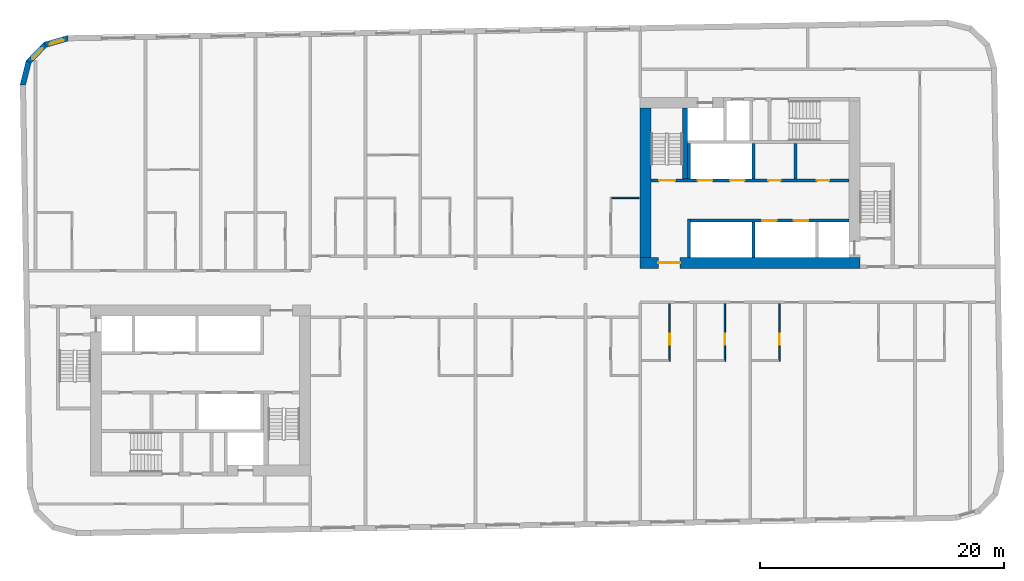
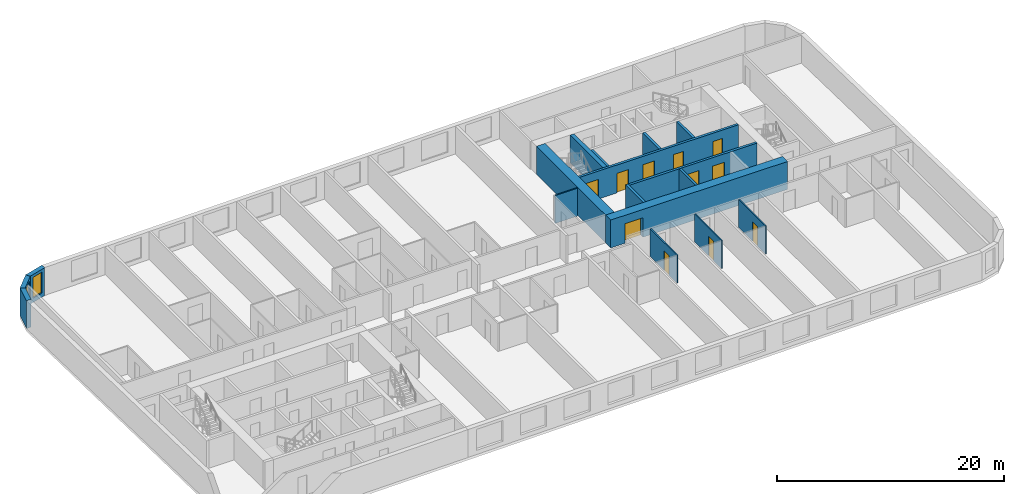
# One storey, part 5 of 11: 17 walls, 11 doors, 2 windows, 13 openings.
"""IFC4 building model written with IfcOpenShell, lengths in metres."""

from ifc_helpers import new_model, si_unit, direction, frame, frame_2d, origin, place, context, subcontext, project, spatial, polyline, rectangle, outline, extrude, material, layer, layer_set, type_object, element, fill, save


model = new_model("IFC4")

# Units and contexts
model_context = context("Model", 3, precision=1e-05, world=origin(), true_north=direction((0.0, 1.0)))
body_context = subcontext(model_context, "Body", "Model", "MODEL_VIEW")
ifc_project = project(units=[si_unit("LENGTHUNIT", "METRE"), si_unit("AREAUNIT", "SQUARE_METRE"), si_unit("VOLUMEUNIT", "CUBIC_METRE"), si_unit("PLANEANGLEUNIT", "RADIAN"), si_unit("MASSUNIT", "GRAM", prefix="KILO")], contexts=[model_context])

# Site, building, storey
site_placement = place(None, origin())
site = spatial("IfcSite", under=ifc_project, at=site_placement, CompositionType="ELEMENT")
building_placement = place(site_placement, origin())
building = spatial("IfcBuilding", under=site, at=building_placement, Name="Kajstack Hotel Tower", CompositionType="ELEMENT")
storey_placement = place(building_placement, frame((0.0, 0.0, 254.0)))
storey = spatial("IfcBuildingStorey", under=building, at=storey_placement, Name="L63", CompositionType="ELEMENT", Elevation=254.0)

# Wall, opening, door
ifc_material_1 = material(Name="Concrete C60/75", Category="concrete")
ifc_layer_1 = layer(ifc_material_1, 0.89990234375)
ifc_layer_set_1 = layer_set([ifc_layer_1], Name="Core wall 900")
wall_type_1 = type_object("IfcWallType", Name="Core wall 900", PredefinedType="SHEAR", material=ifc_layer_set_1)
wall_1_placement = place(storey_placement, frame((13.5, 1.949951171875, 0.0), z_axis=(0.0, 0.0, 1.0), x_axis=(1.0, 0.0, 0.0)))
wall_1 = element("IfcWall", 1, at=wall_1_placement, inside=storey, type_object=wall_type_1, Name="Core wall E RN", PredefinedType="SHEAR", context=body_context, shape_type="SweptSolid", body=[
    extrude(rectangle(XDim=18.0, YDim=0.89990234375, at=frame_2d((9.0, 0.0))), origin(), (0.0, 0.0, 1.0), 3.0),
])
opening_1_placement = place(wall_1_placement, frame((1.47509765625, 0.0, 0.0)))
opening_1 = element("IfcOpeningElement", 2, at=opening_1_placement, cuts=wall_1, Name="Opening 63E07", PredefinedType="OPENING", context=body_context, shape_type="SweptSolid", body=[
    extrude(rectangle(XDim=1.800048828125, YDim=2.10009765625, at=frame_2d((0.89990234375, 1.050048828125))), frame((0.0, 0.4599609375, 0.0), z_axis=(0.0, -1.0, 0.0), x_axis=(1.0, 0.0, 0.0)), (0.0, 0.0, 1.0), 0.919921875),
])
ifc_material_2 = material(Name="Glazed steel frame, fire-rated glass", Category="steel")
door_type_1 = type_object("IfcDoorType", Name="Lobby double door 1800", OperationType="DOUBLE_DOOR_DOUBLE_SWING", PredefinedType="DOOR", material=ifc_material_2)
door_1_placement = place(opening_1_placement, origin())
door_1 = element("IfcDoor", 3, at=door_1_placement, inside=storey, type_object=door_type_1, Name="Door 63E07", OperationType="DOUBLE_DOOR_DOUBLE_SWING", OverallHeight=2.10009765625, OverallWidth=1.800048828125, PredefinedType="DOOR", context=body_context, shape_type="SweptSolid", body=[
    extrude(rectangle(XDim=1.800048828125, YDim=2.10009765625, at=frame_2d((0.89990234375, 1.050048828125))), frame((0.0, 0.02490234375, 0.0), z_axis=(0.0, -1.0, 0.0), x_axis=(1.0, 0.0, 0.0)), (0.0, 0.0, 1.0), 0.050048828125),
])
fill(opening_1, door_1)

# Wall
wall_2_placement = place(storey_placement, frame((13.949951171875, 2.39990234375, 0.0), z_axis=(0.0, 0.0, 1.0), x_axis=(0.0, 1.0, 0.0)))
element("IfcWall", 4, at=wall_2_placement, inside=storey, type_object=wall_type_1, Name="Core wall E RE", PredefinedType="SHEAR", context=body_context, shape_type="SweptSolid", body=[
    extrude(rectangle(XDim=12.2001953125, YDim=0.89990234375, at=frame_2d((6.10009765625, 0.0))), origin(), (0.0, 0.0, 1.0), 3.0),
])

# Wall, opening, window
ifc_material_3 = material(Name="Terracotta-faced brick masonry", Category="masonry")
ifc_layer_2 = layer(ifc_material_3, 0.449951171875)
ifc_layer_set_2 = layer_set([ifc_layer_2], Name="EW-TERRA")
wall_type_2 = type_object("IfcWallType", Name="EW-TERRA", PredefinedType="SOLIDWALL", material=ifc_layer_set_2)
wall_3_placement = place(storey_placement, frame((-33.290283203125, 20.352294921875, 0.0), z_axis=(0.0, 0.0, 1.0), x_axis=(-0.961247584925, -0.275686562016, 0.0)))
wall_3 = element("IfcWall", 5, at=wall_3_placement, inside=storey, type_object=wall_type_2, Name="E-wall-L63-13-00", PredefinedType="SOLIDWALL", context=body_context, shape_type="SweptSolid", body=[
    extrude(outline(polyline([(0.0, -0.22509765625), (2.070556640625, -0.22509765625), (1.949951171875, 0.224853515625), (0.12060546875, 0.224853515625), (0.0, -0.22509765625)])), origin(), (0.0, 0.0, 1.0), 3.0),
])
opening_2_placement = place(wall_3_placement, frame((0.435302734375, 0.0, 0.449951171875)))
opening_2 = element("IfcOpeningElement", 6, at=opening_2_placement, cuts=wall_3, Name="Opening W3", PredefinedType="OPENING", context=body_context, shape_type="SweptSolid", body=[
    extrude(rectangle(XDim=1.199951171875, YDim=2.25, at=frame_2d((0.60009765625, 1.125))), frame((0.0, 0.23486328125, 0.0), z_axis=(0.0, -1.0, 0.0), x_axis=(1.0, 0.0, 0.0)), (0.0, 0.0, 1.0), 0.469970703125),
])
ifc_material_4 = material(Name="Timber-aluminium window, triple glazed", Category="wood")
window_type = type_object("IfcWindowType", Name="WG3", PartitioningType="SINGLE_PANEL", PredefinedType="WINDOW", material=ifc_material_4)
window_1_placement = place(opening_2_placement, origin())
window_1 = element("IfcWindow", 7, at=window_1_placement, inside=storey, type_object=window_type, Name="Window W3 L63-13", OverallHeight=2.25, OverallWidth=1.199951171875, PartitioningType="SINGLE_PANEL", PredefinedType="WINDOW", context=body_context, shape_type="SweptSolid", body=[
    extrude(rectangle(XDim=1.199951171875, YDim=2.25, at=frame_2d((0.60009765625, 1.125))), frame((0.0, 0.090087890625, 0.0), z_axis=(0.0, -1.0, 0.0), x_axis=(1.0, 0.0, 0.0)), (0.0, 0.0, 1.0), 0.06005859375),
])
fill(opening_2, window_1)

wall_4_placement = place(storey_placement, frame((-35.1806640625, 19.841552734375, 0.0), z_axis=(0.0, 0.0, 1.0), x_axis=(-0.694678672846, -0.719320193998, 0.0)))
wall_4 = element("IfcWall", 8, at=wall_4_placement, inside=storey, type_object=wall_type_2, Name="E-wall-L63-14-00", PredefinedType="SOLIDWALL", context=body_context, shape_type="SweptSolid", body=[
    extrude(outline(polyline([(0.0, -0.22509765625), (2.07080078125, -0.22509765625), (1.9501953125, 0.224853515625), (0.12060546875, 0.224853515625), (0.0, -0.22509765625)])), origin(), (0.0, 0.0, 1.0), 3.0),
])
opening_3_placement = place(wall_4_placement, frame((0.435302734375, 0.0, 0.449951171875)))
opening_3 = element("IfcOpeningElement", 9, at=opening_3_placement, cuts=wall_4, Name="Opening W3", PredefinedType="OPENING", context=body_context, shape_type="SweptSolid", body=[
    extrude(rectangle(XDim=1.199951171875, YDim=2.25, at=frame_2d((0.60009765625, 1.125))), frame((0.0, 0.23486328125, 0.0), z_axis=(0.0, -1.0, 0.0), x_axis=(1.0, 0.0, 0.0)), (0.0, 0.0, 1.0), 0.469970703125),
])
window_2_placement = place(opening_3_placement, origin())
window_2 = element("IfcWindow", 10, at=window_2_placement, inside=storey, type_object=window_type, Name="Window W3 L63-14", OverallHeight=2.25, OverallWidth=1.199951171875, PartitioningType="SINGLE_PANEL", PredefinedType="WINDOW", context=body_context, shape_type="SweptSolid", body=[
    extrude(rectangle(XDim=1.199951171875, YDim=2.25, at=frame_2d((0.60009765625, 1.125))), frame((0.0, 0.090087890625, 0.0), z_axis=(0.0, -1.0, 0.0), x_axis=(1.0, 0.0, 0.0)), (0.0, 0.0, 1.0), 0.06005859375),
])
fill(opening_3, window_2)

# Walls
wall_5_placement = place(storey_placement, frame((-36.562744140625, 18.453857421875, 0.0), z_axis=(0.0, 0.0, 1.0), x_axis=(-0.241869623482, -0.970308757683, 0.0)))
element("IfcWall", 11, at=wall_5_placement, inside=storey, type_object=wall_type_2, Name="E-wall-L63-15-00", PredefinedType="SOLIDWALL", context=body_context, shape_type="SweptSolid", body=[
    extrude(outline(polyline([(-0.000244140625, -0.224853515625), (2.0703125, -0.22509765625), (1.94970703125, 0.224853515625), (0.120361328125, 0.22509765625), (-0.000244140625, -0.224853515625)])), origin(), (0.0, 0.0, 1.0), 3.0),
])
ifc_material_5 = material(Name="Gypsum board and tiled backer on steel studs", Category="steel")
ifc_layer_3 = layer(ifc_material_5, 0.125)
ifc_layer_set_3 = layer_set([ifc_layer_3], Name="En-suite wall 125")
wall_type_3 = type_object("IfcWallType", Name="En-suite wall 125", PredefinedType="PARTITIONING", material=ifc_layer_set_3)
wall_6_placement = place(storey_placement, frame((11.14990234375, 7.261962890625, 0.0), z_axis=(0.0, 0.0, 1.0), x_axis=(1.0, 0.0, 0.0)))
element("IfcWall", 12, at=wall_6_placement, inside=storey, type_object=wall_type_3, Name="G-wall-L63-027", PredefinedType="PARTITIONING", context=body_context, shape_type="SweptSolid", body=[
    extrude(rectangle(XDim=2.25, YDim=0.125, at=frame_2d((1.125, 0.0))), origin(), (0.0, 0.0, 1.0), 3.0),
])

# Wall, opening, door
wall_7_placement = place(storey_placement, frame((15.912109375, -6.125, 0.0), z_axis=(0.0, 0.0, 1.0), x_axis=(0.0, 1.0, 0.0)))
wall_7 = element("IfcWall", 13, at=wall_7_placement, inside=storey, type_object=wall_type_3, Name="G-wall-L63-039", PredefinedType="PARTITIONING", context=body_context, shape_type="SweptSolid", body=[
    extrude(rectangle(XDim=4.72509765625, YDim=0.125, at=frame_2d((2.362548828125, 0.0))), origin(), (0.0, 0.0, 1.0), 3.0),
])
opening_4_placement = place(wall_7_placement, frame((1.375, 0.0, 0.0)))
opening_4 = element("IfcOpeningElement", 14, at=opening_4_placement, cuts=wall_7, Name="Opening 63030", PredefinedType="OPENING", context=body_context, shape_type="SweptSolid", body=[
    extrude(rectangle(XDim=0.89990234375, YDim=2.10009765625, at=frame_2d((0.449951171875, 1.050048828125))), frame((0.0, 0.072509765625, 0.0), z_axis=(0.0, -1.0, 0.0), x_axis=(1.0, 0.0, 0.0)), (0.0, 0.0, 1.0), 0.14501953125),
])
ifc_material_6 = material(Name="Painted timber door leaf", Category="wood")
door_type_2 = type_object("IfcDoorType", Name="Room door 900", OperationType="SINGLE_SWING_LEFT", PredefinedType="DOOR", material=ifc_material_6)
door_2_placement = place(opening_4_placement, origin())
door_2 = element("IfcDoor", 15, at=door_2_placement, inside=storey, type_object=door_type_2, Name="G-door-L63-30", OperationType="SINGLE_SWING_RIGHT", OverallHeight=2.10009765625, OverallWidth=0.89990234375, PredefinedType="DOOR", context=body_context, shape_type="SweptSolid", body=[
    extrude(rectangle(XDim=0.89990234375, YDim=2.10009765625, at=frame_2d((0.449951171875, 1.050048828125))), frame((0.0, 0.02490234375, 0.0), z_axis=(0.0, -1.0, 0.0), x_axis=(1.0, 0.0, 0.0)), (0.0, 0.0, 1.0), 0.050048828125),
])
fill(opening_4, door_2)

wall_8_placement = place(storey_placement, frame((20.43798828125, -6.125, 0.0), z_axis=(0.0, 0.0, 1.0), x_axis=(0.0, 1.0, 0.0)))
wall_8 = element("IfcWall", 16, at=wall_8_placement, inside=storey, type_object=wall_type_3, Name="G-wall-L63-042", PredefinedType="PARTITIONING", context=body_context, shape_type="SweptSolid", body=[
    extrude(rectangle(XDim=4.72509765625, YDim=0.125, at=frame_2d((2.362548828125, 0.0))), origin(), (0.0, 0.0, 1.0), 3.0),
])
opening_5_placement = place(wall_8_placement, frame((1.375, 0.0, 0.0)))
opening_5 = element("IfcOpeningElement", 17, at=opening_5_placement, cuts=wall_8, Name="Opening 63032", PredefinedType="OPENING", context=body_context, shape_type="SweptSolid", body=[
    extrude(rectangle(XDim=0.89990234375, YDim=2.10009765625, at=frame_2d((0.449951171875, 1.050048828125))), frame((0.0, 0.072509765625, 0.0), z_axis=(0.0, -1.0, 0.0), x_axis=(1.0, 0.0, 0.0)), (0.0, 0.0, 1.0), 0.14501953125),
])
door_3_placement = place(opening_5_placement, origin())
door_3 = element("IfcDoor", 18, at=door_3_placement, inside=storey, type_object=door_type_2, Name="G-door-L63-32", OperationType="SINGLE_SWING_RIGHT", OverallHeight=2.10009765625, OverallWidth=0.89990234375, PredefinedType="DOOR", context=body_context, shape_type="SweptSolid", body=[
    extrude(rectangle(XDim=0.89990234375, YDim=2.10009765625, at=frame_2d((0.449951171875, 1.050048828125))), frame((0.0, 0.02490234375, 0.0), z_axis=(0.0, -1.0, 0.0), x_axis=(1.0, 0.0, 0.0)), (0.0, 0.0, 1.0), 0.050048828125),
])
fill(opening_5, door_3)

wall_9_placement = place(storey_placement, frame((24.9130859375, -6.125, 0.0), z_axis=(0.0, 0.0, 1.0), x_axis=(0.0, 1.0, 0.0)))
wall_9 = element("IfcWall", 19, at=wall_9_placement, inside=storey, type_object=wall_type_3, Name="G-wall-L63-044", PredefinedType="PARTITIONING", context=body_context, shape_type="SweptSolid", body=[
    extrude(rectangle(XDim=4.72509765625, YDim=0.125, at=frame_2d((2.362548828125, 0.0))), origin(), (0.0, 0.0, 1.0), 3.0),
])
opening_6_placement = place(wall_9_placement, frame((1.375, 0.0, 0.0)))
opening_6 = element("IfcOpeningElement", 20, at=opening_6_placement, cuts=wall_9, Name="Opening 63034", PredefinedType="OPENING", context=body_context, shape_type="SweptSolid", body=[
    extrude(rectangle(XDim=0.89990234375, YDim=2.10009765625, at=frame_2d((0.449951171875, 1.050048828125))), frame((0.0, 0.072509765625, 0.0), z_axis=(0.0, -1.0, 0.0), x_axis=(1.0, 0.0, 0.0)), (0.0, 0.0, 1.0), 0.14501953125),
])
door_4_placement = place(opening_6_placement, origin())
door_4 = element("IfcDoor", 21, at=door_4_placement, inside=storey, type_object=door_type_2, Name="G-door-L63-34", OperationType="SINGLE_SWING_LEFT", OverallHeight=2.10009765625, OverallWidth=0.89990234375, PredefinedType="DOOR", context=body_context, shape_type="SweptSolid", body=[
    extrude(rectangle(XDim=0.89990234375, YDim=2.10009765625, at=frame_2d((0.449951171875, 1.050048828125))), frame((0.0, 0.02490234375, 0.0), z_axis=(0.0, -1.0, 0.0), x_axis=(1.0, 0.0, 0.0)), (0.0, 0.0, 1.0), 0.050048828125),
])
fill(opening_6, door_4)

# Walls
ifc_material_7 = material(Name="Concrete C50/60", Category="concrete")
ifc_layer_4 = layer(ifc_material_7, 0.300048828125)
ifc_layer_set_4 = layer_set([ifc_layer_4], Name="Hoistway divider wall 300")
wall_type_4 = type_object("IfcWallType", Name="Hoistway divider wall 300", PredefinedType="SHEAR", material=ifc_layer_set_4)
wall_10_placement = place(storey_placement, frame((22.77490234375, 2.39990234375, 0.0), z_axis=(0.0, 0.0, 1.0), x_axis=(0.0, 1.0, 0.0)))
element("IfcWall", 22, at=wall_10_placement, inside=storey, type_object=wall_type_4, Name="Core wall E AP2", PredefinedType="SHEAR", context=body_context, shape_type="SweptSolid", body=[
    extrude(rectangle(XDim=2.900146484375, YDim=0.25, at=frame_2d((1.4501953125, 0.0))), origin(), (0.0, 0.0, 1.0), 3.0),
])
wall_11_placement = place(storey_placement, frame((22.77490234375, 8.800048828125, 0.0), z_axis=(0.0, 0.0, 1.0), x_axis=(0.0, 1.0, 0.0)))
element("IfcWall", 23, at=wall_11_placement, inside=storey, type_object=wall_type_4, Name="Core wall E BP2", PredefinedType="SHEAR", context=body_context, shape_type="SweptSolid", body=[
    extrude(rectangle(XDim=2.89990234375, YDim=0.25, at=frame_2d((1.449951171875, 0.0))), origin(), (0.0, 0.0, 1.0), 3.0),
])
ifc_material_8 = material(Name="Concrete block masonry", Category="masonry")
ifc_layer_5 = layer(ifc_material_8, 0.25)
ifc_layer_set_5 = layer_set([ifc_layer_5], Name="Riser partition 250")
wall_type_5 = type_object("IfcWallType", Name="Riser partition 250", PredefinedType="PARTITIONING", material=ifc_layer_set_5)
wall_12_placement = place(storey_placement, frame((26.199951171875, 8.800048828125, 0.0), z_axis=(0.0, 0.0, 1.0), x_axis=(0.0, 1.0, 0.0)))
element("IfcWall", 24, at=wall_12_placement, inside=storey, type_object=wall_type_5, Name="Partition E BF0", PredefinedType="PARTITIONING", context=body_context, shape_type="SweptSolid", body=[
    extrude(rectangle(XDim=2.89990234375, YDim=0.25, at=frame_2d((1.449951171875, 0.0))), origin(), (0.0, 0.0, 1.0), 3.0),
])

# Wall, openings, doors
ifc_layer_6 = layer(ifc_material_7, 0.25)
ifc_layer_set_6 = layer_set([ifc_layer_6], Name="Shaft wall 250")
wall_type_6 = type_object("IfcWallType", Name="Shaft wall 250", PredefinedType="SHEAR", material=ifc_layer_set_6)
wall_13_placement = place(storey_placement, frame((17.60009765625, 5.425048828125, 0.0), z_axis=(0.0, 0.0, 1.0), x_axis=(1.0, 0.0, 0.0)))
wall_13 = element("IfcWall", 25, at=wall_13_placement, inside=storey, type_object=wall_type_6, Name="Core wall E FA", PredefinedType="SHEAR", context=body_context, shape_type="SweptSolid", body=[
    extrude(rectangle(XDim=13.0, YDim=0.25, at=frame_2d((6.5, 0.0))), origin(), (0.0, 0.0, 1.0), 3.0),
])
opening_7_placement = place(wall_13_placement, frame((8.47509765625, 0.0, 0.0)))
opening_7 = element("IfcOpeningElement", 26, at=opening_7_placement, cuts=wall_13, Name="Opening LD-MR7", PredefinedType="OPENING", context=body_context, shape_type="SweptSolid", body=[
    extrude(rectangle(XDim=1.199951171875, YDim=2.10009765625, at=frame_2d((0.60009765625, 1.050048828125))), frame((0.0, 0.135009765625, 0.0), z_axis=(0.0, -1.0, 0.0), x_axis=(1.0, 0.0, 0.0)), (0.0, 0.0, 1.0), 0.27001953125),
])
opening_8_placement = place(wall_13_placement, frame((5.875, 0.0, 0.0)))
opening_8 = element("IfcOpeningElement", 27, at=opening_8_placement, cuts=wall_13, Name="Opening LD-MR8", PredefinedType="OPENING", context=body_context, shape_type="SweptSolid", body=[
    extrude(rectangle(XDim=1.199951171875, YDim=2.10009765625, at=frame_2d((0.60009765625, 1.050048828125))), frame((0.0, 0.135009765625, 0.0), z_axis=(0.0, -1.0, 0.0), x_axis=(1.0, 0.0, 0.0)), (0.0, 0.0, 1.0), 0.27001953125),
])
ifc_material_9 = material(Name="Stainless steel", Category="steel")
door_type_3 = type_object("IfcDoorType", Name="Lift landing door 1200", OperationType="SLIDING_TO_LEFT", PredefinedType="DOOR", material=ifc_material_9)
door_5_placement = place(opening_7_placement, origin())
door_5 = element("IfcDoor", 28, at=door_5_placement, inside=storey, type_object=door_type_3, Name="Landing door MR7", OperationType="SLIDING_TO_LEFT", OverallHeight=2.10009765625, OverallWidth=1.199951171875, PredefinedType="DOOR", context=body_context, shape_type="SweptSolid", body=[
    extrude(rectangle(XDim=1.199951171875, YDim=2.10009765625, at=frame_2d((0.60009765625, 1.050048828125))), frame((0.0, 0.02490234375, 0.0), z_axis=(0.0, -1.0, 0.0), x_axis=(1.0, 0.0, 0.0)), (0.0, 0.0, 1.0), 0.050048828125),
])
fill(opening_7, door_5)
door_6_placement = place(opening_8_placement, origin())
door_6 = element("IfcDoor", 29, at=door_6_placement, inside=storey, type_object=door_type_3, Name="Landing door MR8", OperationType="SLIDING_TO_RIGHT", OverallHeight=2.10009765625, OverallWidth=1.199951171875, PredefinedType="DOOR", context=body_context, shape_type="SweptSolid", body=[
    extrude(rectangle(XDim=1.199951171875, YDim=2.10009765625, at=frame_2d((0.60009765625, 1.050048828125))), frame((0.0, 0.02490234375, 0.0), z_axis=(0.0, -1.0, 0.0), x_axis=(1.0, 0.0, 0.0)), (0.0, 0.0, 1.0), 0.050048828125),
])
fill(opening_8, door_6)

# Wall
wall_14_placement = place(storey_placement, frame((17.47509765625, 2.39990234375, 0.0), z_axis=(0.0, 0.0, 1.0), x_axis=(0.0, 1.0, 0.0)))
element("IfcWall", 30, at=wall_14_placement, inside=storey, type_object=wall_type_6, Name="Core wall E AE", PredefinedType="SHEAR", context=body_context, shape_type="SweptSolid", body=[
    extrude(rectangle(XDim=3.150146484375, YDim=0.25, at=frame_2d((1.5751953125, 0.0))), origin(), (0.0, 0.0, 1.0), 3.0),
])

# Wall, openings, doors
wall_15_placement = place(storey_placement, frame((14.39990234375, 8.675048828125, 0.0), z_axis=(0.0, 0.0, 1.0), x_axis=(1.0, 0.0, 0.0)))
wall_15 = element("IfcWall", 31, at=wall_15_placement, inside=storey, type_object=wall_type_6, Name="Core wall E FB", PredefinedType="SHEAR", context=body_context, shape_type="SweptSolid", body=[
    extrude(rectangle(XDim=16.2001953125, YDim=0.25, at=frame_2d((8.10009765625, 0.0))), origin(), (0.0, 0.0, 1.0), 3.0),
])
opening_9_placement = place(wall_15_placement, frame((6.449951171875, 0.0, 0.0)))
opening_9 = element("IfcOpeningElement", 32, at=opening_9_placement, cuts=wall_15, Name="Opening LD-MR5", PredefinedType="OPENING", context=body_context, shape_type="SweptSolid", body=[
    extrude(rectangle(XDim=1.199951171875, YDim=2.10009765625, at=frame_2d((0.60009765625, 1.050048828125))), frame((0.0, 0.135009765625, 0.0), z_axis=(0.0, -1.0, 0.0), x_axis=(1.0, 0.0, 0.0)), (0.0, 0.0, 1.0), 0.27001953125),
])
opening_10_placement = place(wall_15_placement, frame((3.800048828125, 0.0, 0.0)))
opening_10 = element("IfcOpeningElement", 33, at=opening_10_placement, cuts=wall_15, Name="Opening LD-MR6", PredefinedType="OPENING", context=body_context, shape_type="SweptSolid", body=[
    extrude(rectangle(XDim=1.199951171875, YDim=2.10009765625, at=frame_2d((0.60009765625, 1.050048828125))), frame((0.0, 0.135009765625, 0.0), z_axis=(0.0, -1.0, 0.0), x_axis=(1.0, 0.0, 0.0)), (0.0, 0.0, 1.0), 0.27001953125),
])
opening_11_placement = place(wall_15_placement, frame((0.64990234375, 0.0, 0.0)))
opening_11 = element("IfcOpeningElement", 34, at=opening_11_placement, cuts=wall_15, Name="Opening 63E11", PredefinedType="OPENING", context=body_context, shape_type="SweptSolid", body=[
    extrude(rectangle(XDim=1.300048828125, YDim=2.10009765625, at=frame_2d((0.64990234375, 1.050048828125))), frame((0.0, 0.135009765625, 0.0), z_axis=(0.0, -1.0, 0.0), x_axis=(1.0, 0.0, 0.0)), (0.0, 0.0, 1.0), 0.27001953125),
])
opening_12_placement = place(wall_15_placement, frame((13.5625, 0.0, 0.0)))
opening_12 = element("IfcOpeningElement", 35, at=opening_12_placement, cuts=wall_15, Name="Opening 63E15", PredefinedType="OPENING", context=body_context, shape_type="SweptSolid", body=[
    extrude(rectangle(XDim=1.0, YDim=2.10009765625, at=frame_2d((0.5, 1.050048828125))), frame((0.0, 0.135009765625, 0.0), z_axis=(0.0, -1.0, 0.0), x_axis=(1.0, 0.0, 0.0)), (0.0, 0.0, 1.0), 0.27001953125),
])
opening_13_placement = place(wall_15_placement, frame((9.58740234375, 0.0, 0.0)))
opening_13 = element("IfcOpeningElement", 36, at=opening_13_placement, cuts=wall_15, Name="Opening 63E16", PredefinedType="OPENING", context=body_context, shape_type="SweptSolid", body=[
    extrude(rectangle(XDim=1.0, YDim=2.10009765625, at=frame_2d((0.5, 1.050048828125))), frame((0.0, 0.135009765625, 0.0), z_axis=(0.0, -1.0, 0.0), x_axis=(1.0, 0.0, 0.0)), (0.0, 0.0, 1.0), 0.27001953125),
])
door_7_placement = place(opening_9_placement, origin())
door_7 = element("IfcDoor", 37, at=door_7_placement, inside=storey, type_object=door_type_3, Name="Landing door MR5", OperationType="SLIDING_TO_LEFT", OverallHeight=2.10009765625, OverallWidth=1.199951171875, PredefinedType="DOOR", context=body_context, shape_type="SweptSolid", body=[
    extrude(rectangle(XDim=1.199951171875, YDim=2.10009765625, at=frame_2d((0.60009765625, 1.050048828125))), frame((0.0, 0.02490234375, 0.0), z_axis=(0.0, -1.0, 0.0), x_axis=(1.0, 0.0, 0.0)), (0.0, 0.0, 1.0), 0.050048828125),
])
fill(opening_9, door_7)
door_8_placement = place(opening_10_placement, origin())
door_8 = element("IfcDoor", 38, at=door_8_placement, inside=storey, type_object=door_type_3, Name="Landing door MR6", OperationType="SLIDING_TO_RIGHT", OverallHeight=2.10009765625, OverallWidth=1.199951171875, PredefinedType="DOOR", context=body_context, shape_type="SweptSolid", body=[
    extrude(rectangle(XDim=1.199951171875, YDim=2.10009765625, at=frame_2d((0.60009765625, 1.050048828125))), frame((0.0, 0.02490234375, 0.0), z_axis=(0.0, -1.0, 0.0), x_axis=(1.0, 0.0, 0.0)), (0.0, 0.0, 1.0), 0.050048828125),
])
fill(opening_10, door_8)
ifc_material_10 = material(Name="Timber leaf, fire-rated", Category="wood")
door_type_4 = type_object("IfcDoorType", Name="Service room door 1000", OperationType="SINGLE_SWING_LEFT", PredefinedType="DOOR", material=ifc_material_10)
door_9_placement = place(opening_12_placement, origin())
door_9 = element("IfcDoor", 39, at=door_9_placement, inside=storey, type_object=door_type_4, Name="Door 63E15", OperationType="SINGLE_SWING_LEFT", OverallHeight=2.10009765625, OverallWidth=1.0, PredefinedType="DOOR", context=body_context, shape_type="SweptSolid", body=[
    extrude(rectangle(XDim=1.0, YDim=2.10009765625, at=frame_2d((0.5, 1.050048828125))), frame((0.0, 0.02490234375, 0.0), z_axis=(0.0, -1.0, 0.0), x_axis=(1.0, 0.0, 0.0)), (0.0, 0.0, 1.0), 0.050048828125),
])
fill(opening_12, door_9)
door_10_placement = place(opening_13_placement, origin())
door_10 = element("IfcDoor", 40, at=door_10_placement, inside=storey, type_object=door_type_4, Name="Door 63E16", OperationType="SINGLE_SWING_LEFT", OverallHeight=2.10009765625, OverallWidth=1.0, PredefinedType="DOOR", context=body_context, shape_type="SweptSolid", body=[
    extrude(rectangle(XDim=1.0, YDim=2.10009765625, at=frame_2d((0.5, 1.050048828125))), frame((0.0, 0.02490234375, 0.0), z_axis=(0.0, -1.0, 0.0), x_axis=(1.0, 0.0, 0.0)), (0.0, 0.0, 1.0), 0.050048828125),
])
fill(opening_13, door_10)
ifc_material_11 = material(Name="Steel leaf, fire-rated", Category="steel")
door_type_5 = type_object("IfcDoorType", Name="Stair door 1300", OperationType="SINGLE_SWING_LEFT", PredefinedType="DOOR", material=ifc_material_11)
door_11_placement = place(opening_11_placement, origin())
door_11 = element("IfcDoor", 41, at=door_11_placement, inside=storey, type_object=door_type_5, Name="Door 63E11", OperationType="SINGLE_SWING_LEFT", OverallHeight=2.10009765625, OverallWidth=1.300048828125, PredefinedType="DOOR", context=body_context, shape_type="SweptSolid", body=[
    extrude(rectangle(XDim=1.300048828125, YDim=2.10009765625, at=frame_2d((0.64990234375, 1.050048828125))), frame((0.0, 0.02490234375, 0.0), z_axis=(0.0, -1.0, 0.0), x_axis=(1.0, 0.0, 0.0)), (0.0, 0.0, 1.0), 0.050048828125),
])
fill(opening_11, door_11)

# Walls
wall_16_placement = place(storey_placement, frame((17.47509765625, 8.800048828125, 0.0), z_axis=(0.0, 0.0, 1.0), x_axis=(0.0, 1.0, 0.0)))
element("IfcWall", 42, at=wall_16_placement, inside=storey, type_object=wall_type_6, Name="Core wall E BE", PredefinedType="SHEAR", context=body_context, shape_type="SweptSolid", body=[
    extrude(rectangle(XDim=2.89990234375, YDim=0.25, at=frame_2d((1.449951171875, 0.0))), origin(), (0.0, 0.0, 1.0), 3.0),
])
ifc_layer_7 = layer(ifc_material_7, 0.39990234375)
ifc_layer_set_7 = layer_set([ifc_layer_7], Name="Stair wall 400")
wall_type_7 = type_object("IfcWallType", Name="Stair wall 400", PredefinedType="SHEAR", material=ifc_layer_set_7)
wall_17_placement = place(storey_placement, frame((17.14990234375, 8.800048828125, 0.0), z_axis=(0.0, 0.0, 1.0), x_axis=(0.0, 1.0, 0.0)))
element("IfcWall", 43, at=wall_17_placement, inside=storey, type_object=wall_type_7, Name="Core wall E WW2", PredefinedType="SHEAR", context=body_context, shape_type="SweptSolid", body=[
    extrude(rectangle(XDim=5.800048828125, YDim=0.39990234375, at=frame_2d((2.89990234375, 0.0))), origin(), (0.0, 0.0, 1.0), 3.0),
])

save(model, "model.ifc")
